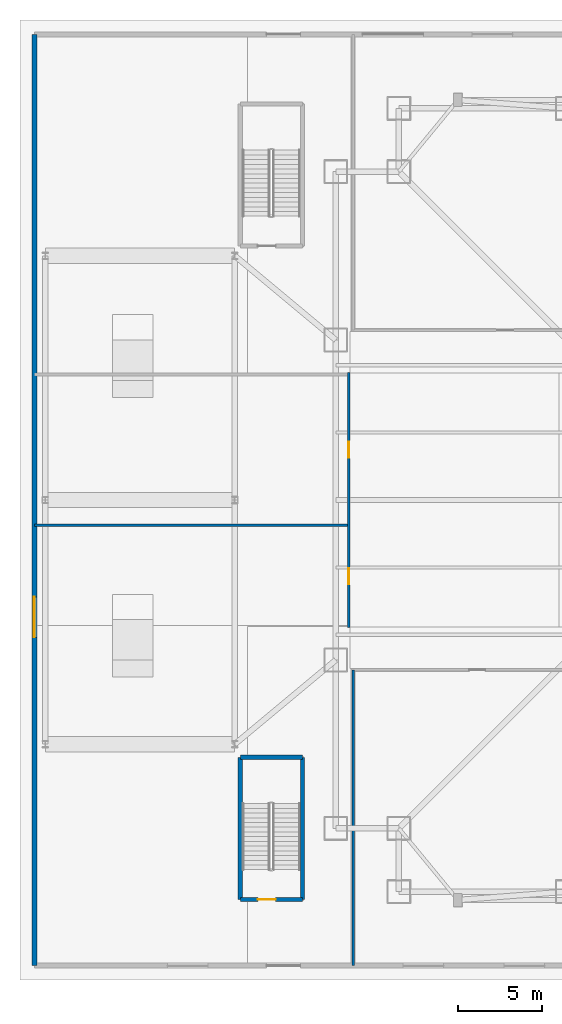
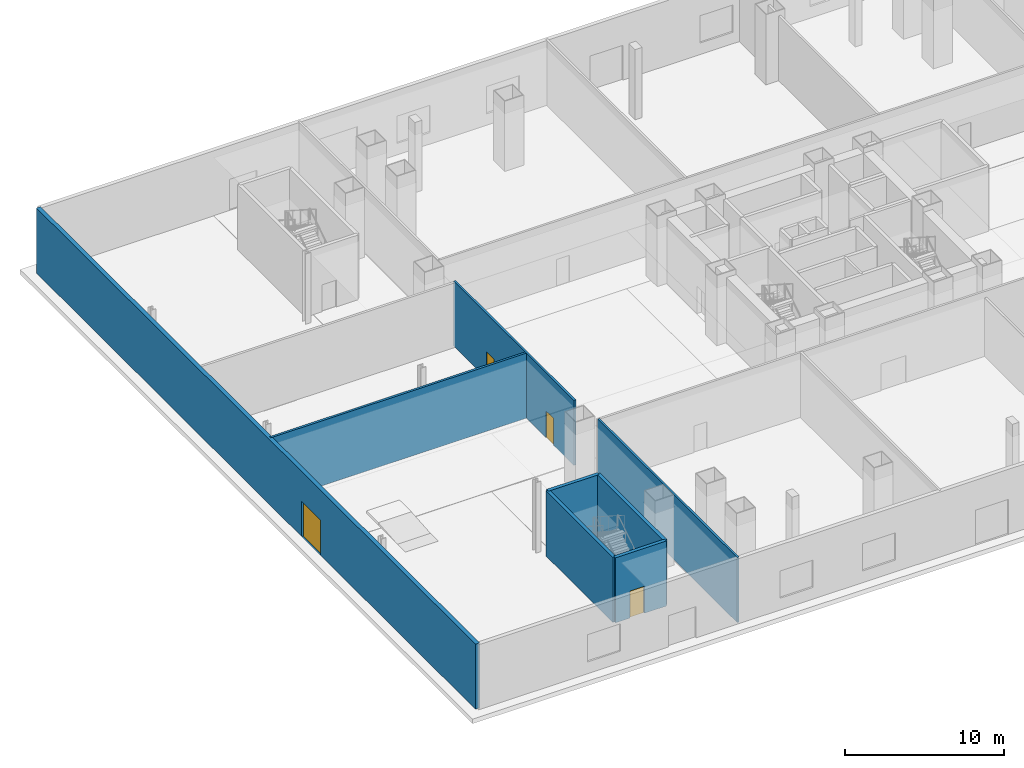
# One storey, part 6 of 24: 8 walls, 4 doors, 4 openings.
"""IFC4 building model written with IfcOpenShell, lengths in metres."""

from ifc_helpers import new_model, si_unit, direction, frame, frame_2d, origin, place, context, subcontext, project, spatial, rectangle, extrude, material, layer, layer_set, type_object, element, fill, save


model = new_model("IFC4")

# Units and contexts
model_context = context("Model", 3, precision=1e-05, world=origin(), true_north=direction((0.0, 1.0)))
body_context = subcontext(model_context, "Body", "Model", "MODEL_VIEW")
ifc_project = project(units=[si_unit("LENGTHUNIT", "METRE"), si_unit("AREAUNIT", "SQUARE_METRE"), si_unit("VOLUMEUNIT", "CUBIC_METRE"), si_unit("PLANEANGLEUNIT", "RADIAN"), si_unit("MASSUNIT", "GRAM", prefix="KILO")], contexts=[model_context])

# Site, building, storey
site_placement = place(None, origin())
site = spatial("IfcSite", under=ifc_project, at=site_placement, CompositionType="ELEMENT")
building_placement = place(site_placement, origin())
building = spatial("IfcBuilding", under=site, at=building_placement, Name="Trevonay Congress Spire", CompositionType="ELEMENT")
storey_placement = place(building_placement, origin())
storey = spatial("IfcBuildingStorey", under=building, at=storey_placement, Name="L00", CompositionType="ELEMENT", Elevation=0.0)

# Wall, openings, doors
ifc_material_1 = material(Name="Concrete C40/50", Category="concrete")
ifc_layer_1 = layer(ifc_material_1, 0.14990234375, Name="Concrete C40/50")
ifc_layer_set_1 = layer_set([ifc_layer_1], Name="Concrete C40/50")
wall_type_1 = type_object("IfcWallType", Name="WAL-CORR-150", PredefinedType="PARTITIONING", material=ifc_layer_set_1)
wall_1_placement = place(storey_placement, frame((-22.47998046875, -7.570068359375, 0.0), z_axis=(0.0, 0.0, 1.0), x_axis=(0.0, 1.0, 0.0)))
wall_1 = element("IfcWall", 1, at=wall_1_placement, inside=storey, type_object=wall_type_1, Name="L00 interior wall WP-L00W-COR", PredefinedType="PARTITIONING", context=body_context, shape_type="SweptSolid", body=[
    extrude(rectangle(XDim=15.14013671875, YDim=0.14990234375, at=frame_2d((7.570068359375, 0.0))), origin(), (0.0, 0.0, 1.0), 5.0),
])
opening_1_placement = place(wall_1_placement, frame((2.580078125, 0.0, 0.0)))
opening_1 = element("IfcOpeningElement", 2, at=opening_1_placement, cuts=wall_1, Name="Opening D07", PredefinedType="OPENING", context=body_context, shape_type="SweptSolid", body=[
    extrude(rectangle(XDim=0.949951171875, YDim=2.06005859375, at=frame_2d((0.47509765625, 1.030029296875))), frame((0.0, 0.0849609375, 0.0), z_axis=(0.0, -1.0, 0.0), x_axis=(1.0, 0.0, 0.0)), (0.0, 0.0, 1.0), 0.169921875),
])
opening_2_placement = place(wall_1_placement, frame((10.070068359375, 0.0, 0.0)))
opening_2 = element("IfcOpeningElement", 3, at=opening_2_placement, cuts=wall_1, Name="Opening D07", PredefinedType="OPENING", context=body_context, shape_type="SweptSolid", body=[
    extrude(rectangle(XDim=0.949951171875, YDim=2.06005859375, at=frame_2d((0.47509765625, 1.030029296875))), frame((0.0, 0.0849609375, 0.0), z_axis=(0.0, -1.0, 0.0), x_axis=(1.0, 0.0, 0.0)), (0.0, 0.0, 1.0), 0.169921875),
])
ifc_material_2 = material(Name="Pale Anodised Aluminium EN AW-6063-T6", Category="aluminium")
door_type_1 = type_object("IfcDoorType", Name="DOR-OFFICE-95", OperationType="NOTDEFINED", PredefinedType="DOOR", material=ifc_material_2)
door_1_placement = place(opening_1_placement, origin())
door_1 = element("IfcDoor", 4, at=door_1_placement, inside=storey, type_object=door_type_1, Name="L00 West Harbour Cafe Door", OperationType="SINGLE_SWING_LEFT", OverallHeight=2.06005859375, OverallWidth=0.949951171875, PredefinedType="DOOR", context=body_context, shape_type="SweptSolid", body=[
    extrude(rectangle(XDim=0.949951171875, YDim=2.06005859375, at=frame_2d((0.47509765625, 1.030029296875))), frame((0.0, 0.02490234375, 0.0), z_axis=(0.0, -1.0, 0.0), x_axis=(1.0, 0.0, 0.0)), (0.0, 0.0, 1.0), 0.050048828125),
])
fill(opening_1, door_1)
door_2_placement = place(opening_2_placement, origin())
door_2 = element("IfcDoor", 5, at=door_2_placement, inside=storey, type_object=door_type_1, Name="L00 Left-Luggage Cloakroom Door", OperationType="SINGLE_SWING_RIGHT", OverallHeight=2.06005859375, OverallWidth=0.949951171875, PredefinedType="DOOR", context=body_context, shape_type="SweptSolid", body=[
    extrude(rectangle(XDim=0.949951171875, YDim=2.06005859375, at=frame_2d((0.47509765625, 1.030029296875))), frame((0.0, 0.02490234375, 0.0), z_axis=(0.0, -1.0, 0.0), x_axis=(1.0, 0.0, 0.0)), (0.0, 0.0, 1.0), 0.050048828125),
])
fill(opening_2, door_2)

# Wall, opening, door
ifc_material_3 = material(Name="Precast concrete C40/50", Category="concrete")
ifc_layer_2 = layer(ifc_material_3, 0.300048828125, Name="Precast concrete C40/50")
ifc_layer_set_2 = layer_set([ifc_layer_2], Name="Precast concrete C40/50")
wall_type_2 = type_object("IfcWallType", Name="WAL-EXT-PRECAST-300", PredefinedType="SOLIDWALL", material=ifc_layer_set_2)
wall_2_placement = place(storey_placement, frame((-41.14990234375, -27.64990234375, 0.0), z_axis=(0.0, 0.0, 1.0), x_axis=(0.0, 1.0, 0.0)))
wall_2 = element("IfcWall", 6, at=wall_2_placement, inside=storey, type_object=wall_type_2, Name="L00 West colonnade backup wall", PredefinedType="SOLIDWALL", context=body_context, shape_type="SweptSolid", body=[
    extrude(rectangle(XDim=55.2998046875, YDim=0.300048828125, at=frame_2d((27.64990234375, 0.0))), origin(), (0.0, 0.0, 1.0), 5.0),
])
opening_3_placement = place(wall_2_placement, frame((19.5, 0.0, 0.0)))
opening_3 = element("IfcOpeningElement", 7, at=opening_3_placement, cuts=wall_2, Name="Opening D01", PredefinedType="OPENING", context=body_context, shape_type="SweptSolid", body=[
    extrude(rectangle(XDim=2.39990234375, YDim=2.699951171875, at=frame_2d((1.199951171875, 1.35009765625))), frame((0.0, 0.16015625, 0.0), z_axis=(0.0, -1.0, 0.0), x_axis=(1.0, 0.0, 0.0)), (0.0, 0.0, 1.0), 0.320068359375),
])
door_type_2 = type_object("IfcDoorType", Name="DOR-EXT-ENTR-DBL", OperationType="DOUBLE_DOOR_SINGLE_SWING", PredefinedType="DOOR", material=ifc_material_2)
door_3_placement = place(opening_3_placement, origin())
door_3 = element("IfcDoor", 8, at=door_3_placement, inside=storey, type_object=door_type_2, Name="L00 West plaza entrance portal door", OperationType="DOUBLE_DOOR_SINGLE_SWING", OverallHeight=2.699951171875, OverallWidth=2.39990234375, PredefinedType="DOOR", context=body_context, shape_type="SweptSolid", body=[
    extrude(rectangle(XDim=2.39990234375, YDim=2.699951171875, at=frame_2d((1.199951171875, 1.35009765625))), frame((0.0, 0.02490234375, 0.0), z_axis=(0.0, -1.0, 0.0), x_axis=(1.0, 0.0, 0.0)), (0.0, 0.0, 1.0), 0.050048828125),
])
fill(opening_3, door_3)

# Wall
ifc_layer_3 = layer(ifc_material_1, 0.14990234375, Name="Concrete C40/50")
ifc_layer_set_3 = layer_set([ifc_layer_3], Name="Concrete C40/50")
wall_type_3 = type_object("IfcWallType", Name="WAL-PART-150", PredefinedType="PARTITIONING", material=ifc_layer_set_3)
wall_3_placement = place(storey_placement, frame((-22.199951171875, -27.64990234375, 0.0), z_axis=(0.0, 0.0, 1.0), x_axis=(0.0, 1.0, 0.0)))
element("IfcWall", 9, at=wall_3_placement, inside=storey, type_object=wall_type_3, Name="L00 interior wall WP-L00S-DIV1", PredefinedType="PARTITIONING", context=body_context, shape_type="SweptSolid", body=[
    extrude(rectangle(XDim=17.56982421875, YDim=0.14990234375, at=frame_2d((8.784912109375, 0.0))), origin(), (0.0, 0.0, 1.0), 5.0),
])

# Wall, opening, door
ifc_layer_4 = layer(ifc_material_1, 0.25, Name="Concrete C40/50")
ifc_layer_set_4 = layer_set([ifc_layer_4], Name="Concrete C40/50")
wall_type_4 = type_object("IfcWallType", Name="WAL-SHAFT-LB-250", PredefinedType="SHEAR", material=ifc_layer_set_4)
wall_4_placement = place(storey_placement, frame((-28.919921875, -23.719970703125, 0.0), z_axis=(0.0, 0.0, 1.0), x_axis=(1.0, 0.0, 0.0)))
wall_4 = element("IfcWall", 10, at=wall_4_placement, inside=storey, type_object=wall_type_4, Name="L00 interior shaft wall WSH-L00-ST-3-S", PredefinedType="SHEAR", context=body_context, shape_type="SweptSolid", body=[
    extrude(rectangle(XDim=3.68994140625, YDim=0.25, at=frame_2d((1.844970703125, 0.0))), origin(), (0.0, 0.0, 1.0), 5.0),
])
opening_4_placement = place(wall_4_placement, frame((1.050048828125, 0.0, 0.0)))
opening_4 = element("IfcOpeningElement", 11, at=opening_4_placement, cuts=wall_4, Name="Opening D05", PredefinedType="OPENING", context=body_context, shape_type="SweptSolid", body=[
    extrude(rectangle(XDim=1.050048828125, YDim=2.080078125, at=frame_2d((0.52490234375, 1.0400390625))), frame((0.0, 0.135009765625, 0.0), z_axis=(0.0, -1.0, 0.0), x_axis=(1.0, 0.0, 0.0)), (0.0, 0.0, 1.0), 0.27001953125),
])
ifc_material_4 = material(Name="Steel ASTM A572 Grade 50", Category="steel")
door_type_3 = type_object("IfcDoorType", Name="DOR-STAIR-110", OperationType="NOTDEFINED", PredefinedType="DOOR", material=ifc_material_4)
door_4_placement = place(opening_4_placement, origin())
door_4 = element("IfcDoor", 12, at=door_4_placement, inside=storey, type_object=door_type_3, Name="L00 Escape Stair ST-3 Door", OperationType="SINGLE_SWING_RIGHT", OverallHeight=2.080078125, OverallWidth=1.050048828125, PredefinedType="DOOR", context=body_context, shape_type="SweptSolid", body=[
    extrude(rectangle(XDim=1.050048828125, YDim=2.080078125, at=frame_2d((0.52490234375, 1.0400390625))), frame((0.0, 0.02490234375, 0.0), z_axis=(0.0, -1.0, 0.0), x_axis=(1.0, 0.0, 0.0)), (0.0, 0.0, 1.0), 0.050048828125),
])
fill(opening_4, door_4)

# Walls
wall_5_placement = place(storey_placement, frame((-28.919921875, -15.280029296875, 0.0), z_axis=(0.0, 0.0, 1.0), x_axis=(1.0, 0.0, 0.0)))
element("IfcWall", 13, at=wall_5_placement, inside=storey, type_object=wall_type_4, Name="L00 interior shaft wall WSH-L00-ST-3-N", PredefinedType="SHEAR", context=body_context, shape_type="SweptSolid", body=[
    extrude(rectangle(XDim=3.68994140625, YDim=0.25, at=frame_2d((1.844970703125, 0.0))), origin(), (0.0, 0.0, 1.0), 5.0),
])
for number, where, z_axis, x_axis, name in (
    (14, (-28.919921875, -23.719970703125, 0.0), (0.0, 0.0, 1.0), (0.0, 1.0, 0.0), "L00 interior shaft wall WSH-L00-ST-3-W"),
    (15, (-25.22998046875, -23.719970703125, 0.0), (0.0, 0.0, 1.0), (0.0, 1.0, 0.0), "L00 interior shaft wall WSH-L00-ST-3-E"),
):
    element("IfcWall", number, at=place(storey_placement, frame(where, z_axis=z_axis, x_axis=x_axis)), inside=storey, type_object=wall_type_4, Name=name, PredefinedType="SHEAR", context=body_context, shape_type="SweptSolid", body=[
        extrude(rectangle(XDim=8.43994140625, YDim=0.25, at=frame_2d((4.219970703125, 0.0))), origin(), (0.0, 0.0, 1.0), 5.0),
    ])
ifc_layer_5 = layer(ifc_material_1, 0.1650390625, Name="Concrete C40/50")
ifc_layer_set_5 = layer_set([ifc_layer_5], Name="Concrete C40/50")
wall_type_5 = type_object("IfcWallType", Name="WAL-WET-165", PredefinedType="PLUMBINGWALL", material=ifc_layer_set_5)
wall_6_placement = place(storey_placement, frame((-41.14990234375, -1.5, 0.0), z_axis=(0.0, 0.0, 1.0), x_axis=(1.0, 0.0, 0.0)))
element("IfcWall", 16, at=wall_6_placement, inside=storey, type_object=wall_type_5, Name="L00 interior wall WP-L00W-DIV1", PredefinedType="PLUMBINGWALL", context=body_context, shape_type="SweptSolid", body=[
    extrude(rectangle(XDim=18.669921875, YDim=0.1650390625, at=frame_2d((9.3349609375, 0.0))), origin(), (0.0, 0.0, 1.0), 5.0),
])

save(model, "model.ifc")
